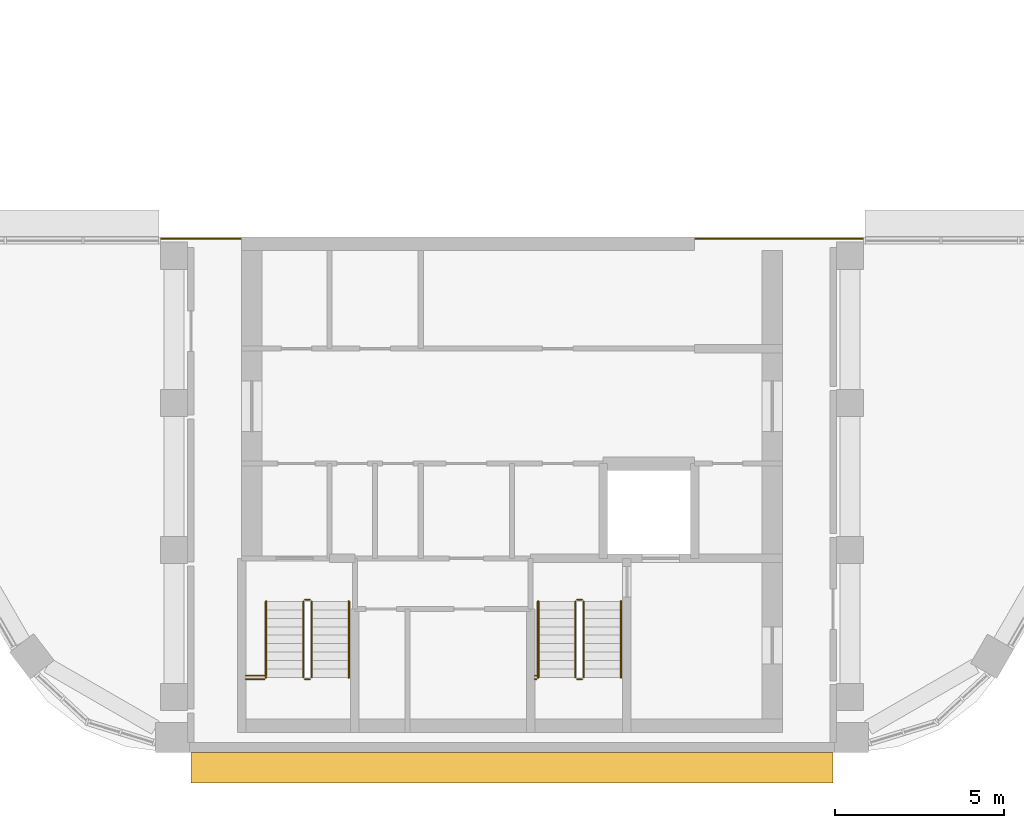
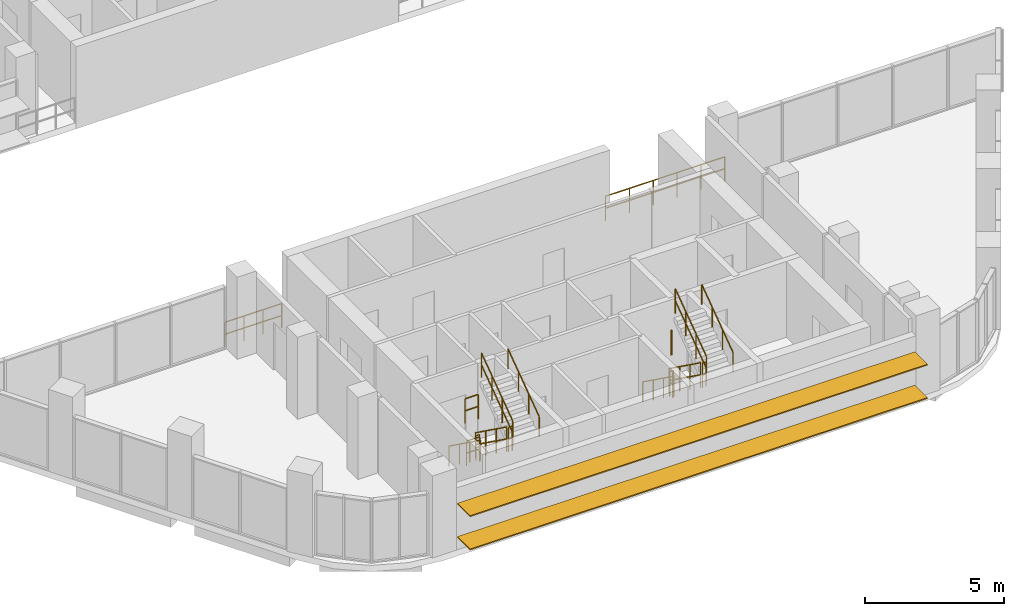
# One storey, part 13 of 15: 18 railings, 2 shading devices.
"""IFC4 building model written with IfcOpenShell, lengths in metres."""

from ifc_helpers import new_model, si_unit, direction, frame, origin, origin_2d, place, context, subcontext, project, spatial, rectangle, circle, extrude, material, material_profile, profile_set, type_object, element, save


model = new_model("IFC4")

# Units and contexts
model_context = context("Model", 3, precision=1e-05, world=origin(), true_north=direction((0.0, 1.0)))
body_context = subcontext(model_context, "Body", "Model", "MODEL_VIEW")
ifc_project = project(units=[si_unit("LENGTHUNIT", "METRE"), si_unit("AREAUNIT", "SQUARE_METRE"), si_unit("VOLUMEUNIT", "CUBIC_METRE"), si_unit("PLANEANGLEUNIT", "RADIAN"), si_unit("MASSUNIT", "GRAM", prefix="KILO")], contexts=[model_context])

# Site, building, storey
site_placement = place(None, origin())
site = spatial("IfcSite", under=ifc_project, at=site_placement, CompositionType="ELEMENT")
building_placement = place(site_placement, origin())
building = spatial("IfcBuilding", under=site, at=building_placement, Name="Nakaniwa Court", CompositionType="ELEMENT")
storey_placement = place(building_placement, frame((0.0, 0.0, 283.199951171875)))
storey = spatial("IfcBuildingStorey", under=building, at=storey_placement, Name="C04", CompositionType="ELEMENT", Elevation=283.199951171875)

# Shading devices
ifc_material_1 = material(Name="Perforated charcoal ceramic louvre blade")
ifc_material_profile = material_profile(ifc_material_1, rectangle(XDim=0.89990234375, YDim=0.050048828125, at=origin_2d()), Name="Perforated ceramic louvre blade")
ifc_profile_set = profile_set([ifc_material_profile], Name="Perforated charcoal ceramic louvre blade")
shading_device_type = type_object("IfcShadingDeviceType", Name="Perforated ceramic louvre blade", PredefinedType="JALOUSIE", material=ifc_profile_set)
for number, where, z_axis, x_axis, name in (
    (1, (70.500732421875, 56.89990234375, 0.550048828125), (1.0, 0.0, 0.0), (0.0, 1.0, 0.0), "C04 perforated ceramic louvre blade w10 1"),
    (2, (70.500732421875, 56.89990234375, 2.01513671875), (1.0, 0.0, 0.0), (0.0, 1.0, 0.0), "C04 perforated ceramic louvre blade w10 2"),
):
    element("IfcShadingDevice", number, at=place(storey_placement, frame(where, z_axis=z_axis, x_axis=x_axis)), inside=storey, type_object=shading_device_type, Name=name, PredefinedType="JALOUSIE", context=body_context, shape_type="SweptSolid", body=[
        extrude(rectangle(XDim=0.89990234375, YDim=0.050048828125, at=origin_2d()), origin(), (0.0, 0.0, 1.0), 18.99267578125),
    ])

# Railings
ifc_material_2 = material(Name="Black powder coated steel guard", Category="steel")
railing_type_1 = type_object("IfcRailingType", Name="Stair guard 1100", PredefinedType="GUARDRAIL", material=ifc_material_2)
railing_1_placement = place(storey_placement, frame((73.824951171875, 61.824951171875, 0.179931640625)))
element("IfcRailing", 3, at=railing_1_placement, inside=storey, type_object=railing_type_1, Name="C04 ST3 stair guard 1", PredefinedType="GUARDRAIL", context=body_context, shape_type="SweptSolid", body=[
    extrude(circle(Radius=0.02392578125, at=origin_2d()), frame((0.0, 0.0, 1.076171875), z_axis=(0.0, -0.811514298965, 0.584332561625), x_axis=(1.0, 0.0, 0.0)), (0.0, 0.0, 1.0), 2.772705078125),
    extrude(circle(Radius=0.02392578125, at=origin_2d()), frame((0.0, 0.0, 0.550048828125), z_axis=(0.0, -0.811514298965, 0.584332561625), x_axis=(1.0, 0.0, 0.0)), (0.0, 0.0, 1.0), 2.772705078125),
    extrude(circle(Radius=0.02099609375, at=origin_2d()), origin(), (0.0, 0.0, 1.0), 1.052001953125),
    extrude(circle(Radius=0.02099609375, at=origin_2d()), frame((0.0, -0.75, 0.5400390625)), (0.0, 0.0, 1.0), 1.052001953125),
    extrude(circle(Radius=0.02099609375, at=origin_2d()), frame((0.0, -1.5, 1.080078125)), (0.0, 0.0, 1.0), 1.052001953125),
    extrude(circle(Radius=0.02099609375, at=origin_2d()), frame((0.0, -2.25, 1.6201171875)), (0.0, 0.0, 1.0), 1.052001953125),
])
railing_2_placement = place(storey_placement, frame((73.875, 59.52490234375, 1.800048828125)))
element("IfcRailing", 4, at=railing_2_placement, inside=storey, type_object=railing_type_1, Name="C04 ST3 stair guard 2", PredefinedType="GUARDRAIL", context=body_context, shape_type="SweptSolid", body=[
    extrude(circle(Radius=0.02392578125, at=origin_2d()), frame((0.0, 0.0, 1.076171875), z_axis=(1.0, 0.0, 0.0), x_axis=(0.0, 1.0, 0.0)), (0.0, 0.0, 1.0), 0.14990234375),
    extrude(circle(Radius=0.02392578125, at=origin_2d()), frame((0.0, 0.0, 0.550048828125), z_axis=(1.0, 0.0, 0.0), x_axis=(0.0, 1.0, 0.0)), (0.0, 0.0, 1.0), 0.14990234375),
    extrude(circle(Radius=0.02099609375, at=origin_2d()), origin(), (0.0, 0.0, 1.0), 1.052001953125),
    extrude(circle(Radius=0.02099609375, at=origin_2d()), frame((0.14990234375, 0.0, 0.0)), (0.0, 0.0, 1.0), 1.052001953125),
])
railing_3_placement = place(storey_placement, frame((74.074951171875, 59.574951171875, 1.97998046875)))
element("IfcRailing", 5, at=railing_3_placement, inside=storey, type_object=railing_type_1, Name="C04 ST3 stair guard 3", PredefinedType="GUARDRAIL", context=body_context, shape_type="SweptSolid", body=[
    extrude(circle(Radius=0.02392578125, at=origin_2d()), frame((0.0, 0.0, 1.076171875), z_axis=(0.0, 0.811514298965, 0.584332561625), x_axis=(-1.0, 0.0, 0.0)), (0.0, 0.0, 1.0), 2.772705078125),
    extrude(circle(Radius=0.02392578125, at=origin_2d()), frame((0.0, 0.0, 0.550048828125), z_axis=(0.0, 0.811514298965, 0.584332561625), x_axis=(-1.0, 0.0, 0.0)), (0.0, 0.0, 1.0), 2.772705078125),
    extrude(circle(Radius=0.02099609375, at=origin_2d()), origin(), (0.0, 0.0, 1.0), 1.052001953125),
    extrude(circle(Radius=0.02099609375, at=origin_2d()), frame((0.0, 0.75, 0.5400390625)), (0.0, 0.0, 1.0), 1.052001953125),
    extrude(circle(Radius=0.02099609375, at=origin_2d()), frame((0.0, 1.5, 1.080078125)), (0.0, 0.0, 1.0), 1.052001953125),
    extrude(circle(Radius=0.02099609375, at=origin_2d()), frame((0.0, 2.25, 1.6201171875)), (0.0, 0.0, 1.0), 1.052001953125),
])
railing_4_placement = place(storey_placement, frame((73.875, 61.875, 0.0)))
element("IfcRailing", 6, at=railing_4_placement, inside=storey, type_object=railing_type_1, Name="C04 ST3 stair guard 4", PredefinedType="GUARDRAIL", context=body_context, shape_type="SweptSolid", body=[
    extrude(circle(Radius=0.02392578125, at=origin_2d()), frame((0.0, 0.0, 1.076171875), z_axis=(1.0, 0.0, 0.0), x_axis=(0.0, 1.0, 0.0)), (0.0, 0.0, 1.0), 0.14990234375),
    extrude(circle(Radius=0.02392578125, at=origin_2d()), frame((0.0, 0.0, 0.550048828125), z_axis=(1.0, 0.0, 0.0), x_axis=(0.0, 1.0, 0.0)), (0.0, 0.0, 1.0), 0.14990234375),
    extrude(circle(Radius=0.02099609375, at=origin_2d()), origin(), (0.0, 0.0, 1.0), 1.052001953125),
    extrude(circle(Radius=0.02099609375, at=origin_2d()), frame((0.14990234375, 0.0, 0.0)), (0.0, 0.0, 1.0), 1.052001953125),
])
for number, where, name in (
    (7, (72.125, 59.52490234375, 1.800048828125), "C04 ST3 landing side guard 1W"),
    (8, (72.125, 59.625, 3.60009765625), "C04 ST3 floor edge guard 1W"),
):
    element("IfcRailing", number, at=place(storey_placement, frame(where)), inside=storey, type_object=railing_type_1, Name=name, PredefinedType="GUARDRAIL", context=body_context, shape_type="SweptSolid", body=[
        extrude(circle(Radius=0.02392578125, at=origin_2d()), frame((0.0, 0.0, 1.076171875), z_axis=(1.0, 0.0, 0.0), x_axis=(0.0, 1.0, 0.0)), (0.0, 0.0, 1.0), 0.550048828125),
        extrude(circle(Radius=0.02392578125, at=origin_2d()), frame((0.0, 0.0, 0.550048828125), z_axis=(1.0, 0.0, 0.0), x_axis=(0.0, 1.0, 0.0)), (0.0, 0.0, 1.0), 0.550048828125),
        extrude(circle(Radius=0.02099609375, at=origin_2d()), origin(), (0.0, 0.0, 1.0), 1.052001953125),
        extrude(circle(Radius=0.02099609375, at=origin_2d()), frame((0.550048828125, 0.0, 0.0)), (0.0, 0.0, 1.0), 1.052001953125),
    ])
railing_5_placement = place(storey_placement, frame((81.875, 61.824951171875, 0.179931640625)))
element("IfcRailing", 9, at=railing_5_placement, inside=storey, type_object=railing_type_1, Name="C04 ST4 stair guard 1", PredefinedType="GUARDRAIL", context=body_context, shape_type="SweptSolid", body=[
    extrude(circle(Radius=0.02392578125, at=origin_2d()), frame((0.0, 0.0, 1.076171875), z_axis=(0.0, -0.811514298965, 0.584332561625), x_axis=(1.0, 0.0, 0.0)), (0.0, 0.0, 1.0), 2.772705078125),
    extrude(circle(Radius=0.02392578125, at=origin_2d()), frame((0.0, 0.0, 0.550048828125), z_axis=(0.0, -0.811514298965, 0.584332561625), x_axis=(1.0, 0.0, 0.0)), (0.0, 0.0, 1.0), 2.772705078125),
    extrude(circle(Radius=0.02099609375, at=origin_2d()), origin(), (0.0, 0.0, 1.0), 1.052001953125),
    extrude(circle(Radius=0.02099609375, at=origin_2d()), frame((0.0, -0.75, 0.5400390625)), (0.0, 0.0, 1.0), 1.052001953125),
    extrude(circle(Radius=0.02099609375, at=origin_2d()), frame((0.0, -1.5, 1.080078125)), (0.0, 0.0, 1.0), 1.052001953125),
    extrude(circle(Radius=0.02099609375, at=origin_2d()), frame((0.0, -2.25, 1.6201171875)), (0.0, 0.0, 1.0), 1.052001953125),
])
railing_6_placement = place(storey_placement, frame((81.925048828125, 59.52490234375, 1.800048828125)))
element("IfcRailing", 10, at=railing_6_placement, inside=storey, type_object=railing_type_1, Name="C04 ST4 stair guard 2", PredefinedType="GUARDRAIL", context=body_context, shape_type="SweptSolid", body=[
    extrude(circle(Radius=0.02392578125, at=origin_2d()), frame((0.0, 0.0, 1.076171875), z_axis=(1.0, 0.0, 0.0), x_axis=(0.0, 1.0, 0.0)), (0.0, 0.0, 1.0), 0.14990234375),
    extrude(circle(Radius=0.02392578125, at=origin_2d()), frame((0.0, 0.0, 0.550048828125), z_axis=(1.0, 0.0, 0.0), x_axis=(0.0, 1.0, 0.0)), (0.0, 0.0, 1.0), 0.14990234375),
    extrude(circle(Radius=0.02099609375, at=origin_2d()), origin(), (0.0, 0.0, 1.0), 1.052001953125),
    extrude(circle(Radius=0.02099609375, at=origin_2d()), frame((0.14990234375, 0.0, 0.0)), (0.0, 0.0, 1.0), 1.052001953125),
])
railing_7_placement = place(storey_placement, frame((82.125, 59.574951171875, 1.97998046875)))
element("IfcRailing", 11, at=railing_7_placement, inside=storey, type_object=railing_type_1, Name="C04 ST4 stair guard 3", PredefinedType="GUARDRAIL", context=body_context, shape_type="SweptSolid", body=[
    extrude(circle(Radius=0.02392578125, at=origin_2d()), frame((0.0, 0.0, 1.076171875), z_axis=(0.0, 0.811514298965, 0.584332561625), x_axis=(-1.0, 0.0, 0.0)), (0.0, 0.0, 1.0), 2.772705078125),
    extrude(circle(Radius=0.02392578125, at=origin_2d()), frame((0.0, 0.0, 0.550048828125), z_axis=(0.0, 0.811514298965, 0.584332561625), x_axis=(-1.0, 0.0, 0.0)), (0.0, 0.0, 1.0), 2.772705078125),
    extrude(circle(Radius=0.02099609375, at=origin_2d()), origin(), (0.0, 0.0, 1.0), 1.052001953125),
    extrude(circle(Radius=0.02099609375, at=origin_2d()), frame((0.0, 0.75, 0.5400390625)), (0.0, 0.0, 1.0), 1.052001953125),
    extrude(circle(Radius=0.02099609375, at=origin_2d()), frame((0.0, 1.5, 1.080078125)), (0.0, 0.0, 1.0), 1.052001953125),
    extrude(circle(Radius=0.02099609375, at=origin_2d()), frame((0.0, 2.25, 1.6201171875)), (0.0, 0.0, 1.0), 1.052001953125),
])
railing_8_placement = place(storey_placement, frame((81.925048828125, 61.875, 0.0)))
element("IfcRailing", 12, at=railing_8_placement, inside=storey, type_object=railing_type_1, Name="C04 ST4 stair guard 4", PredefinedType="GUARDRAIL", context=body_context, shape_type="SweptSolid", body=[
    extrude(circle(Radius=0.02392578125, at=origin_2d()), frame((0.0, 0.0, 1.076171875), z_axis=(1.0, 0.0, 0.0), x_axis=(0.0, 1.0, 0.0)), (0.0, 0.0, 1.0), 0.14990234375),
    extrude(circle(Radius=0.02392578125, at=origin_2d()), frame((0.0, 0.0, 0.550048828125), z_axis=(1.0, 0.0, 0.0), x_axis=(0.0, 1.0, 0.0)), (0.0, 0.0, 1.0), 0.14990234375),
    extrude(circle(Radius=0.02099609375, at=origin_2d()), origin(), (0.0, 0.0, 1.0), 1.052001953125),
    extrude(circle(Radius=0.02099609375, at=origin_2d()), frame((0.14990234375, 0.0, 0.0)), (0.0, 0.0, 1.0), 1.052001953125),
])
for number, where, name in (
    (13, (80.675048828125, 59.52490234375, 1.800048828125), "C04 ST4 landing side guard 1W"),
    (14, (80.675048828125, 59.625, 3.60009765625), "C04 ST4 floor edge guard 1W"),
):
    element("IfcRailing", number, at=place(storey_placement, frame(where)), inside=storey, type_object=railing_type_1, Name=name, PredefinedType="GUARDRAIL", context=body_context, shape_type="SweptSolid", body=[
        extrude(circle(Radius=0.02392578125, at=origin_2d()), frame((0.0, 0.0, 1.076171875), z_axis=(1.0, 0.0, 0.0), x_axis=(0.0, 1.0, 0.0)), (0.0, 0.0, 1.0), 0.050048828125),
        extrude(circle(Radius=0.02392578125, at=origin_2d()), frame((0.0, 0.0, 0.550048828125), z_axis=(1.0, 0.0, 0.0), x_axis=(0.0, 1.0, 0.0)), (0.0, 0.0, 1.0), 0.050048828125),
        extrude(circle(Radius=0.02099609375, at=origin_2d()), origin(), (0.0, 0.0, 1.0), 1.052001953125),
        extrude(circle(Radius=0.02099609375, at=origin_2d()), frame((0.050048828125, 0.0, 0.0)), (0.0, 0.0, 1.0), 1.052001953125),
    ])
railing_9_placement = place(storey_placement, frame((69.625244140625, 72.550048828125, 0.0)))
element("IfcRailing", 15, at=railing_9_placement, inside=storey, type_object=railing_type_1, Name="GUARD GD-C04-169", PredefinedType="GUARDRAIL", context=body_context, shape_type="SweptSolid", body=[
    extrude(circle(Radius=0.02392578125, at=origin_2d()), frame((0.0, 0.0, 1.076171875), z_axis=(1.0, 0.0, 0.0), x_axis=(0.0, 1.0, 0.0)), (0.0, 0.0, 1.0), 2.34912109375),
    extrude(circle(Radius=0.02392578125, at=origin_2d()), frame((0.0, 0.0, 0.550048828125), z_axis=(1.0, 0.0, 0.0), x_axis=(0.0, 1.0, 0.0)), (0.0, 0.0, 1.0), 2.34912109375),
    extrude(circle(Radius=0.02099609375, at=origin_2d()), origin(), (0.0, 0.0, 1.0), 1.052001953125),
    extrude(circle(Radius=0.02099609375, at=origin_2d()), frame((0.782958984375, 0.0, 0.0)), (0.0, 0.0, 1.0), 1.052001953125),
    extrude(circle(Radius=0.02099609375, at=origin_2d()), frame((1.566162109375, 0.0, 0.0)), (0.0, 0.0, 1.0), 1.052001953125),
    extrude(circle(Radius=0.02099609375, at=origin_2d()), frame((2.34912109375, 0.0, 0.0)), (0.0, 0.0, 1.0), 1.052001953125),
])
railing_10_placement = place(storey_placement, frame((85.419189453125, 72.550048828125, 0.0)))
element("IfcRailing", 16, at=railing_10_placement, inside=storey, type_object=railing_type_1, Name="GUARD GD-C04-170", PredefinedType="GUARDRAIL", context=body_context, shape_type="SweptSolid", body=[
    extrude(circle(Radius=0.02392578125, at=origin_2d()), frame((0.0, 0.0, 1.076171875), z_axis=(1.0, 0.0, 0.0), x_axis=(0.0, 1.0, 0.0)), (0.0, 0.0, 1.0), 4.95556640625),
    extrude(circle(Radius=0.02392578125, at=origin_2d()), frame((0.0, 0.0, 0.550048828125), z_axis=(1.0, 0.0, 0.0), x_axis=(0.0, 1.0, 0.0)), (0.0, 0.0, 1.0), 4.95556640625),
    extrude(circle(Radius=0.02099609375, at=origin_2d()), origin(), (0.0, 0.0, 1.0), 1.052001953125),
    extrude(circle(Radius=0.02099609375, at=origin_2d()), frame((0.9912109375, 0.0, 0.0)), (0.0, 0.0, 1.0), 1.052001953125),
    extrude(circle(Radius=0.02099609375, at=origin_2d()), frame((1.982177734375, 0.0, 0.0)), (0.0, 0.0, 1.0), 1.052001953125),
    extrude(circle(Radius=0.02099609375, at=origin_2d()), frame((2.973388671875, 0.0, 0.0)), (0.0, 0.0, 1.0), 1.052001953125),
    extrude(circle(Radius=0.02099609375, at=origin_2d()), frame((3.96435546875, 0.0, 0.0)), (0.0, 0.0, 1.0), 1.052001953125),
    extrude(circle(Radius=0.02099609375, at=origin_2d()), frame((4.95556640625, 0.0, 0.0)), (0.0, 0.0, 1.0), 1.052001953125),
])
ifc_material_3 = material(Name="Black powder coated steel handrail", Category="steel")
railing_type_2 = type_object("IfcRailingType", Name="Stair handrail 900", PredefinedType="HANDRAIL", material=ifc_material_3)
railing_11_placement = place(storey_placement, frame((72.72509765625, 61.824951171875, 0.179931640625)))
element("IfcRailing", 17, at=railing_11_placement, inside=storey, type_object=railing_type_2, Name="C04 ST3 stair handrail 1", PredefinedType="HANDRAIL", context=body_context, shape_type="SweptSolid", body=[
    extrude(circle(Radius=0.02392578125, at=origin_2d()), frame((0.0, 0.0, 0.8759765625), z_axis=(0.0, -0.811514298965, 0.584332561625), x_axis=(1.0, 0.0, 0.0)), (0.0, 0.0, 1.0), 2.772705078125),
    extrude(circle(Radius=0.02099609375, at=origin_2d()), origin(), (0.0, 0.0, 1.0), 0.851806640625),
    extrude(circle(Radius=0.02099609375, at=origin_2d()), frame((0.0, -0.75, 0.5400390625)), (0.0, 0.0, 1.0), 0.851806640625),
    extrude(circle(Radius=0.02099609375, at=origin_2d()), frame((0.0, -1.5, 1.080078125)), (0.0, 0.0, 1.0), 0.851806640625),
    extrude(circle(Radius=0.02099609375, at=origin_2d()), frame((0.0, -2.25, 1.6201171875)), (0.0, 0.0, 1.0), 0.851806640625),
])
railing_12_placement = place(storey_placement, frame((75.175048828125, 59.574951171875, 1.97998046875)))
element("IfcRailing", 18, at=railing_12_placement, inside=storey, type_object=railing_type_2, Name="C04 ST3 stair handrail 2", PredefinedType="HANDRAIL", context=body_context, shape_type="SweptSolid", body=[
    extrude(circle(Radius=0.02392578125, at=origin_2d()), frame((0.0, 0.0, 0.8759765625), z_axis=(0.0, 0.811514298965, 0.584332561625), x_axis=(-1.0, 0.0, 0.0)), (0.0, 0.0, 1.0), 2.772705078125),
    extrude(circle(Radius=0.02099609375, at=origin_2d()), origin(), (0.0, 0.0, 1.0), 0.851806640625),
    extrude(circle(Radius=0.02099609375, at=origin_2d()), frame((0.0, 0.75, 0.5400390625)), (0.0, 0.0, 1.0), 0.851806640625),
    extrude(circle(Radius=0.02099609375, at=origin_2d()), frame((0.0, 1.5, 1.080078125)), (0.0, 0.0, 1.0), 0.851806640625),
    extrude(circle(Radius=0.02099609375, at=origin_2d()), frame((0.0, 2.25, 1.6201171875)), (0.0, 0.0, 1.0), 0.851806640625),
])
railing_13_placement = place(storey_placement, frame((80.77490234375, 61.824951171875, 0.179931640625)))
element("IfcRailing", 19, at=railing_13_placement, inside=storey, type_object=railing_type_2, Name="C04 ST4 stair handrail 1", PredefinedType="HANDRAIL", context=body_context, shape_type="SweptSolid", body=[
    extrude(circle(Radius=0.02392578125, at=origin_2d()), frame((0.0, 0.0, 0.8759765625), z_axis=(0.0, -0.811514298965, 0.584332561625), x_axis=(1.0, 0.0, 0.0)), (0.0, 0.0, 1.0), 2.772705078125),
    extrude(circle(Radius=0.02099609375, at=origin_2d()), origin(), (0.0, 0.0, 1.0), 0.851806640625),
    extrude(circle(Radius=0.02099609375, at=origin_2d()), frame((0.0, -0.75, 0.5400390625)), (0.0, 0.0, 1.0), 0.851806640625),
    extrude(circle(Radius=0.02099609375, at=origin_2d()), frame((0.0, -1.5, 1.080078125)), (0.0, 0.0, 1.0), 0.851806640625),
    extrude(circle(Radius=0.02099609375, at=origin_2d()), frame((0.0, -2.25, 1.6201171875)), (0.0, 0.0, 1.0), 0.851806640625),
])
railing_14_placement = place(storey_placement, frame((83.22509765625, 59.574951171875, 1.97998046875)))
element("IfcRailing", 20, at=railing_14_placement, inside=storey, type_object=railing_type_2, Name="C04 ST4 stair handrail 2", PredefinedType="HANDRAIL", context=body_context, shape_type="SweptSolid", body=[
    extrude(circle(Radius=0.02392578125, at=origin_2d()), frame((0.0, 0.0, 0.8759765625), z_axis=(0.0, 0.811514298965, 0.584332561625), x_axis=(-1.0, 0.0, 0.0)), (0.0, 0.0, 1.0), 2.772705078125),
    extrude(circle(Radius=0.02099609375, at=origin_2d()), origin(), (0.0, 0.0, 1.0), 0.851806640625),
    extrude(circle(Radius=0.02099609375, at=origin_2d()), frame((0.0, 0.75, 0.5400390625)), (0.0, 0.0, 1.0), 0.851806640625),
    extrude(circle(Radius=0.02099609375, at=origin_2d()), frame((0.0, 1.5, 1.080078125)), (0.0, 0.0, 1.0), 0.851806640625),
    extrude(circle(Radius=0.02099609375, at=origin_2d()), frame((0.0, 2.25, 1.6201171875)), (0.0, 0.0, 1.0), 0.851806640625),
])

save(model, "model.ifc")
